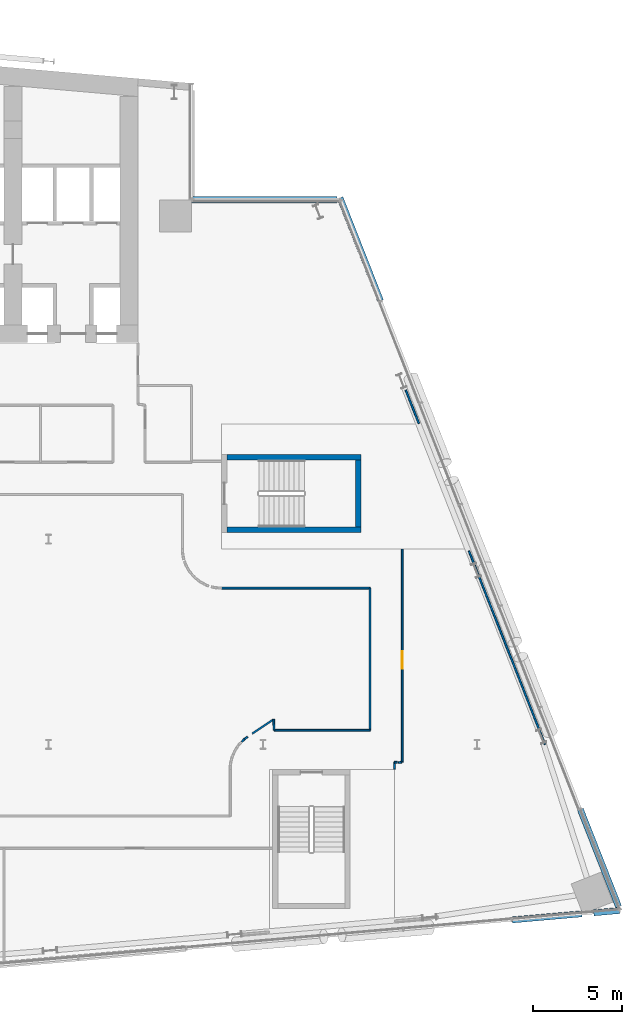
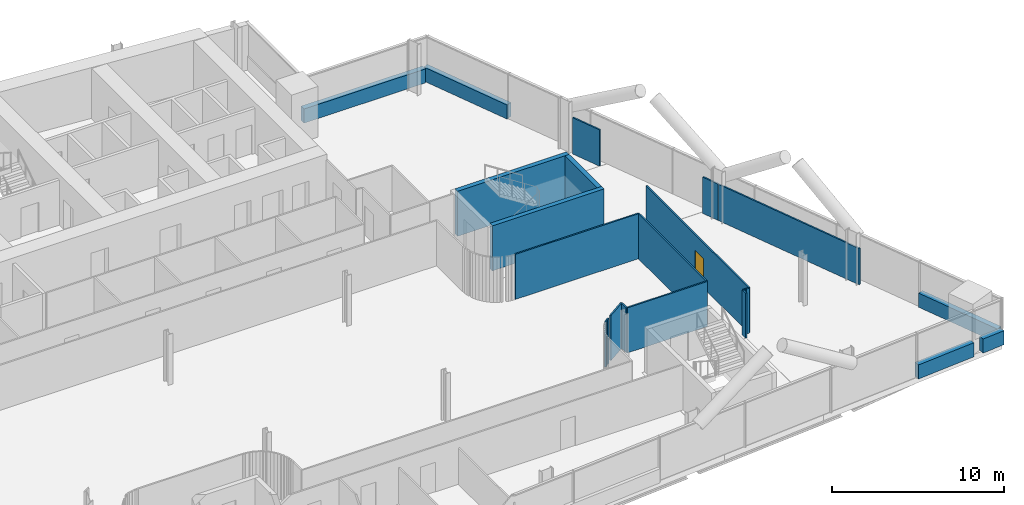
# One storey, part 23 of 30: 22 walls, 1 door, 1 opening.
"""IFC4 building model written with IfcOpenShell, lengths in metres."""

from ifc_helpers import new_model, si_unit, direction, frame, frame_2d, origin, place, context, subcontext, project, spatial, rectangle, extrude, material, layer, layer_set, type_object, element, fill, save


model = new_model("IFC4")

# Units and contexts
model_context = context("Model", 3, precision=1e-05, world=origin(), true_north=direction((0.0, 1.0)))
body_context = subcontext(model_context, "Body", "Model", "MODEL_VIEW")
ifc_project = project(units=[si_unit("LENGTHUNIT", "METRE"), si_unit("AREAUNIT", "SQUARE_METRE"), si_unit("VOLUMEUNIT", "CUBIC_METRE"), si_unit("PLANEANGLEUNIT", "RADIAN"), si_unit("MASSUNIT", "GRAM", prefix="KILO")], contexts=[model_context])

# Site, building, storey
site_placement = place(None, origin())
site = spatial("IfcSite", under=ifc_project, at=site_placement, CompositionType="ELEMENT")
building_placement = place(site_placement, origin())
building = spatial("IfcBuilding", under=site, at=building_placement, Name="Wharfspan Tower", CompositionType="ELEMENT")
storey_placement = place(building_placement, frame((0.0, 0.0, 100.300049)))
storey = spatial("IfcBuildingStorey", under=building, at=storey_placement, Name="L22", CompositionType="ELEMENT", Elevation=100.300049)

# Walls
ifc_material_1 = material(Name="Gypsum board on steel studs", Category="steel")
ifc_layer_1 = layer(ifc_material_1, 0.100098)
ifc_layer_set_1 = layer_set([ifc_layer_1], Name="Gypsum board on steel studs")
wall_type_1 = type_object("IfcWallType", Name="Compartment wall 100 EI 60", PredefinedType="PARTITIONING", material=ifc_layer_set_1)
wall_1_placement = place(storey_placement, frame((69.689941, 20.25, 0.0), z_axis=(0.0, 0.0, 1.0), x_axis=(1.0, 0.0, 0.0)))
element("IfcWall", 1, at=wall_1_placement, inside=storey, type_object=wall_type_1, Name="Partition L22.w100", PredefinedType="PARTITIONING", context=body_context, shape_type="SweptSolid", body=[
    extrude(rectangle(XDim=8.310059, YDim=0.100098, at=frame_2d((4.155029, 0.0))), origin(), (0.0, 0.0, 1.0), 3.199951),
])
wall_2_placement = place(storey_placement, frame((70.810059, 11.649902, 0.0), z_axis=(0.0, 0.0, 1.0), x_axis=(0.740762, 0.671775, 0.0)))
element("IfcWall", 2, at=wall_2_placement, inside=storey, type_object=wall_type_1, Name="Partition L22.w112", PredefinedType="PARTITIONING", context=body_context, shape_type="SweptSolid", body=[
    extrude(rectangle(XDim=0.21582, YDim=0.100098, at=frame_2d((0.10791, 0.0))), origin(), (0.0, 0.0, 1.0), 3.199951),
])
wall_3_placement = place(storey_placement, frame((70.969971, 11.794922, 0.0), z_axis=(0.0, 0.0, 1.0), x_axis=(0.802549, 0.596595, 0.0)))
element("IfcWall", 3, at=wall_3_placement, inside=storey, type_object=wall_type_1, Name="Partition L22.w113", PredefinedType="PARTITIONING", context=body_context, shape_type="SweptSolid", body=[
    extrude(rectangle(XDim=0.218018, YDim=0.100098, at=frame_2d((0.108887, 0.0))), origin(), (0.0, 0.0, 1.0), 3.199951),
])
wall_4_placement = place(storey_placement, frame((71.399902, 12.100098, 0.0), z_axis=(0.0, 0.0, 1.0), x_axis=(0.83215, 0.554541, 0.0)))
element("IfcWall", 4, at=wall_4_placement, inside=storey, type_object=wall_type_1, Name="Partition L22.w114", PredefinedType="PARTITIONING", context=body_context, shape_type="SweptSolid", body=[
    extrude(rectangle(XDim=1.442383, YDim=0.100098, at=frame_2d((0.721191, 0.0))), origin(), (0.0, 0.0, 1.0), 3.199951),
])
wall_5_placement = place(storey_placement, frame((72.625, 12.294922, 0.0), z_axis=(0.0, 0.0, 1.0), x_axis=(1.0, 0.0, 0.0)))
element("IfcWall", 5, at=wall_5_placement, inside=storey, type_object=wall_type_1, Name="Partition L22.w115", PredefinedType="PARTITIONING", context=body_context, shape_type="SweptSolid", body=[
    extrude(rectangle(XDim=5.375, YDim=0.100098, at=frame_2d((2.6875, 0.0))), origin(), (0.0, 0.0, 1.0), 3.199951),
])
wall_6_placement = place(storey_placement, frame((72.625, 12.294922, 0.0), z_axis=(0.0, 0.0, 1.0), x_axis=(-0.041127, 0.99915, 0.0)))
element("IfcWall", 6, at=wall_6_placement, inside=storey, type_object=wall_type_1, Name="Partition L22.w116", PredefinedType="PARTITIONING", context=body_context, shape_type="SweptSolid", body=[
    extrude(rectangle(XDim=0.605469, YDim=0.100098, at=frame_2d((0.302734, 0.0))), origin(), (0.0, 0.0, 1.0), 3.199951),
])
wall_7_placement = place(storey_placement, frame((78.0, 12.294922, 0.0), z_axis=(0.0, 0.0, 1.0), x_axis=(0.0, 1.0, 0.0)))
element("IfcWall", 7, at=wall_7_placement, inside=storey, type_object=wall_type_1, Name="Partition L22.w117", PredefinedType="PARTITIONING", context=body_context, shape_type="SweptSolid", body=[
    extrude(rectangle(XDim=7.955078, YDim=0.100098, at=frame_2d((3.977539, 0.0))), origin(), (0.0, 0.0, 1.0), 3.199951),
])
wall_8_placement = place(storey_placement, frame((79.36499, 10.114746, 0.0), z_axis=(0.0, 0.0, 1.0), x_axis=(0.0, 1.0, 0.0)))
element("IfcWall", 8, at=wall_8_placement, inside=storey, type_object=wall_type_1, Name="Partition L22.w118", PredefinedType="PARTITIONING", context=body_context, shape_type="SweptSolid", body=[
    extrude(rectangle(XDim=0.380371, YDim=0.100098, at=frame_2d((0.190186, 0.0))), origin(), (0.0, 0.0, 1.0), 3.199951),
])
wall_9_placement = place(storey_placement, frame((79.36499, 10.495117, 0.0), z_axis=(0.0, 0.0, 1.0), x_axis=(1.0, 0.0, 0.0)))
element("IfcWall", 9, at=wall_9_placement, inside=storey, type_object=wall_type_1, Name="Partition L22.w119", PredefinedType="PARTITIONING", context=body_context, shape_type="SweptSolid", body=[
    extrude(rectangle(XDim=0.169922, YDim=0.100098, at=frame_2d((0.084961, 0.0))), origin(), (0.0, 0.0, 1.0), 3.199951),
])
wall_10_placement = place(storey_placement, frame((79.590088, 10.485107, 0.0), z_axis=(0.0, 0.0, 1.0), x_axis=(0.998455, 0.055545, 0.0)))
element("IfcWall", 10, at=wall_10_placement, inside=storey, type_object=wall_type_1, Name="Partition L22.w121", PredefinedType="PARTITIONING", context=body_context, shape_type="SweptSolid", body=[
    extrude(rectangle(XDim=0.180176, YDim=0.100098, at=frame_2d((0.090088, 0.0))), origin(), (0.0, 0.0, 1.0), 3.199951),
])

# Wall, opening, door
wall_11_placement = place(storey_placement, frame((79.800049, 10.495117, 0.0), z_axis=(0.0, 0.0, 1.0), x_axis=(0.0, 1.0, 0.0)))
wall_11 = element("IfcWall", 11, at=wall_11_placement, inside=storey, type_object=wall_type_1, Name="Partition L22.w122", PredefinedType="PARTITIONING", context=body_context, shape_type="SweptSolid", body=[
    extrude(rectangle(XDim=11.934814, YDim=0.100098, at=frame_2d((5.967285, 0.0))), origin(), (0.0, 0.0, 1.0), 3.199951),
])
opening_placement = place(wall_11_placement, frame((5.229736, 0.0, 0.0)))
opening = element("IfcOpeningElement", 12, at=opening_placement, cuts=wall_11, Name="Opening B2-10", PredefinedType="OPENING", context=body_context, shape_type="SweptSolid", body=[
    extrude(rectangle(XDim=1.0, YDim=2.100098, at=frame_2d((0.5, 1.050049))), frame((0.0, 0.060059, 0.0), z_axis=(0.0, -1.0, 0.0), x_axis=(1.0, 0.0, 0.0)), (0.0, 0.0, 1.0), 0.120117),
])
ifc_material_2 = material(Name="Fire-rated timber door leaf in steel frame", Category="steel")
door_type = type_object("IfcDoorType", Name="Door 1000 FD30S Left", OperationType="SINGLE_SWING_LEFT", PredefinedType="DOOR", material=ifc_material_2)
door_placement = place(opening_placement, origin())
door = element("IfcDoor", 13, at=door_placement, inside=storey, type_object=door_type, Name="Door B2-10", OperationType="SINGLE_SWING_LEFT", OverallHeight=2.100098, OverallWidth=1.0, PredefinedType="DOOR", context=body_context, shape_type="SweptSolid", body=[
    extrude(rectangle(XDim=1.0, YDim=2.100098, at=frame_2d((0.5, 1.050049))), frame((0.0, 0.024902, 0.0), z_axis=(0.0, -1.0, 0.0), x_axis=(1.0, 0.0, 0.0)), (0.0, 0.0, 1.0), 0.050049),
])
fill(opening, door)

# Walls
ifc_layer_2 = layer(ifc_material_1, 0.100098)
ifc_layer_set_2 = layer_set([ifc_layer_2], Name="Gypsum board on steel studs")
wall_type_2 = type_object("IfcWallType", Name="Partition 100", PredefinedType="PARTITIONING", material=ifc_layer_set_2)
wall_12_placement = place(storey_placement, frame((80.737061, 29.469971, 0.0), z_axis=(0.0, 0.0, 1.0), x_axis=(-0.365847, 0.930674, 0.0)))
element("IfcWall", 14, at=wall_12_placement, inside=storey, type_object=wall_type_2, Name="Partition L22.w123", PredefinedType="PARTITIONING", context=body_context, shape_type="SweptSolid", body=[
    extrude(rectangle(XDim=2.014648, YDim=0.100098, at=frame_2d((1.007324, 0.0))), origin(), (0.0, 0.0, 1.0), 2.579834),
])
wall_13_placement = place(storey_placement, frame((83.959961, 21.264893, 0.0), z_axis=(0.0, 0.0, 1.0), x_axis=(-0.364889, 0.931052, 0.0)))
element("IfcWall", 15, at=wall_13_placement, inside=storey, type_object=wall_type_2, Name="Partition L22.w124", PredefinedType="PARTITIONING", context=body_context, shape_type="SweptSolid", body=[
    extrude(rectangle(XDim=1.147461, YDim=0.100098, at=frame_2d((0.57373, 0.0))), origin(), (0.0, 0.0, 1.0), 2.579834),
])
wall_14_placement = place(storey_placement, frame((87.800049, 11.5, 0.0), z_axis=(0.0, 0.0, 1.0), x_axis=(-0.365945, 0.930635, 0.0)))
element("IfcWall", 16, at=wall_14_placement, inside=storey, type_object=wall_type_2, Name="Partition L22.w125", PredefinedType="PARTITIONING", context=body_context, shape_type="SweptSolid", body=[
    extrude(rectangle(XDim=10.463623, YDim=0.100098, at=frame_2d((5.231934, 0.0))), origin(), (0.0, 0.0, 1.0), 2.579834),
])
ifc_material_3 = material(Name="Concrete C40/50", Category="concrete")
ifc_layer_3 = layer(ifc_material_3, 0.350098)
ifc_layer_set_3 = layer_set([ifc_layer_3], Name="Concrete C40/50")
wall_type_3 = type_object("IfcWallType", Name="SPANDREL EXPOSED CONCRETE 350", PredefinedType="SOLIDWALL", material=ifc_layer_set_3)
wall_15_placement = place(storey_placement, frame((85.958984, 1.666504, 0.0), z_axis=(0.0, 0.0, 1.0), x_axis=(0.996194, 0.087167, 0.0)))
element("IfcWall", 17, at=wall_15_placement, inside=storey, type_object=wall_type_3, Name="Spandrel upstand L22 S2 2", PredefinedType="SOLIDWALL", context=body_context, shape_type="SweptSolid", body=[
    extrude(rectangle(XDim=3.921143, YDim=0.350098, at=frame_2d((1.960449, 0.0))), origin(), (0.0, 0.0, 1.0), 1.0),
])
wall_16_placement = place(storey_placement, frame((90.5271, 2.066162, 0.0), z_axis=(0.0, 0.0, 1.0), x_axis=(0.996198, 0.087157, 0.0)))
element("IfcWall", 18, at=wall_16_placement, inside=storey, type_object=wall_type_3, Name="Spandrel upstand L22 S2 3", PredefinedType="SOLIDWALL", context=body_context, shape_type="SweptSolid", body=[
    extrude(rectangle(XDim=1.479004, YDim=0.350098, at=frame_2d((0.739502, 0.0))), origin(), (0.0, 0.0, 1.0), 1.0),
])
wall_17_placement = place(storey_placement, frame((91.921387, 2.413574, 0.0), z_axis=(0.0, 0.0, 1.0), x_axis=(-0.36578, 0.930701, 0.0)))
element("IfcWall", 19, at=wall_17_placement, inside=storey, type_object=wall_type_3, Name="Spandrel upstand L22 E 1", PredefinedType="SOLIDWALL", context=body_context, shape_type="SweptSolid", body=[
    extrude(rectangle(XDim=5.851562, YDim=0.350098, at=frame_2d((2.925781, 0.0))), origin(), (0.0, 0.0, 1.0), 1.0),
])
wall_18_placement = place(storey_placement, frame((78.586426, 36.343994, 0.0), z_axis=(0.0, 0.0, 1.0), x_axis=(-0.365792, 0.930699, 0.0)))
element("IfcWall", 20, at=wall_18_placement, inside=storey, type_object=wall_type_3, Name="Spandrel upstand L22 E 2", PredefinedType="SOLIDWALL", context=body_context, shape_type="SweptSolid", body=[
    extrude(rectangle(XDim=6.20166, YDim=0.350098, at=frame_2d((3.10083, 0.0))), origin(), (0.0, 0.0, 1.0), 1.0),
])
wall_19_placement = place(storey_placement, frame((76.155029, 42.004883, 0.0), z_axis=(0.0, 0.0, 1.0), x_axis=(-1.0, 0.0, 0.0)))
element("IfcWall", 21, at=wall_19_placement, inside=storey, type_object=wall_type_3, Name="Spandrel upstand L22 NRE-H", PredefinedType="SOLIDWALL", context=body_context, shape_type="SweptSolid", body=[
    extrude(rectangle(XDim=8.155029, YDim=0.350098, at=frame_2d((4.077637, 0.0))), origin(), (0.0, 0.0, 1.0), 1.0),
])
ifc_layer_4 = layer(ifc_material_3, 0.300049)
ifc_layer_set_4 = layer_set([ifc_layer_4], Name="Concrete C40/50")
wall_type_4 = type_object("IfcWallType", Name="Stair core wall 300", PredefinedType="SHEAR", material=ifc_layer_set_4)
for number, where, z_axis, x_axis, name in (
    (22, (69.990479, 23.524902, 0.0), (0.0, 0.0, 1.0), (1.0, 0.0, 0.0), "ST6 stair enclosure wall L22"),
    (23, (69.990479, 27.574951, 0.0), (0.0, 0.0, 1.0), (1.0, 0.0, 0.0), "ST6 stair enclosure wall L22"),
):
    element("IfcWall", number, at=place(storey_placement, frame(where, z_axis=z_axis, x_axis=x_axis)), inside=storey, type_object=wall_type_4, Name=name, PredefinedType="SHEAR", context=body_context, shape_type="SweptSolid", body=[
        extrude(rectangle(XDim=7.5, YDim=0.300049, at=frame_2d((3.75, 0.0))), origin(), (0.0, 0.0, 1.0), 3.199951),
    ])
wall_20_placement = place(storey_placement, frame((77.340332, 23.675049, 0.0), z_axis=(0.0, 0.0, 1.0), x_axis=(0.0, 1.0, 0.0)))
element("IfcWall", 24, at=wall_20_placement, inside=storey, type_object=wall_type_4, Name="ST6 stair enclosure wall L22", PredefinedType="SHEAR", context=body_context, shape_type="SweptSolid", body=[
    extrude(rectangle(XDim=3.75, YDim=0.300049, at=frame_2d((1.875, 0.0))), origin(), (0.0, 0.0, 1.0), 3.199951),
])

save(model, "model.ifc")
